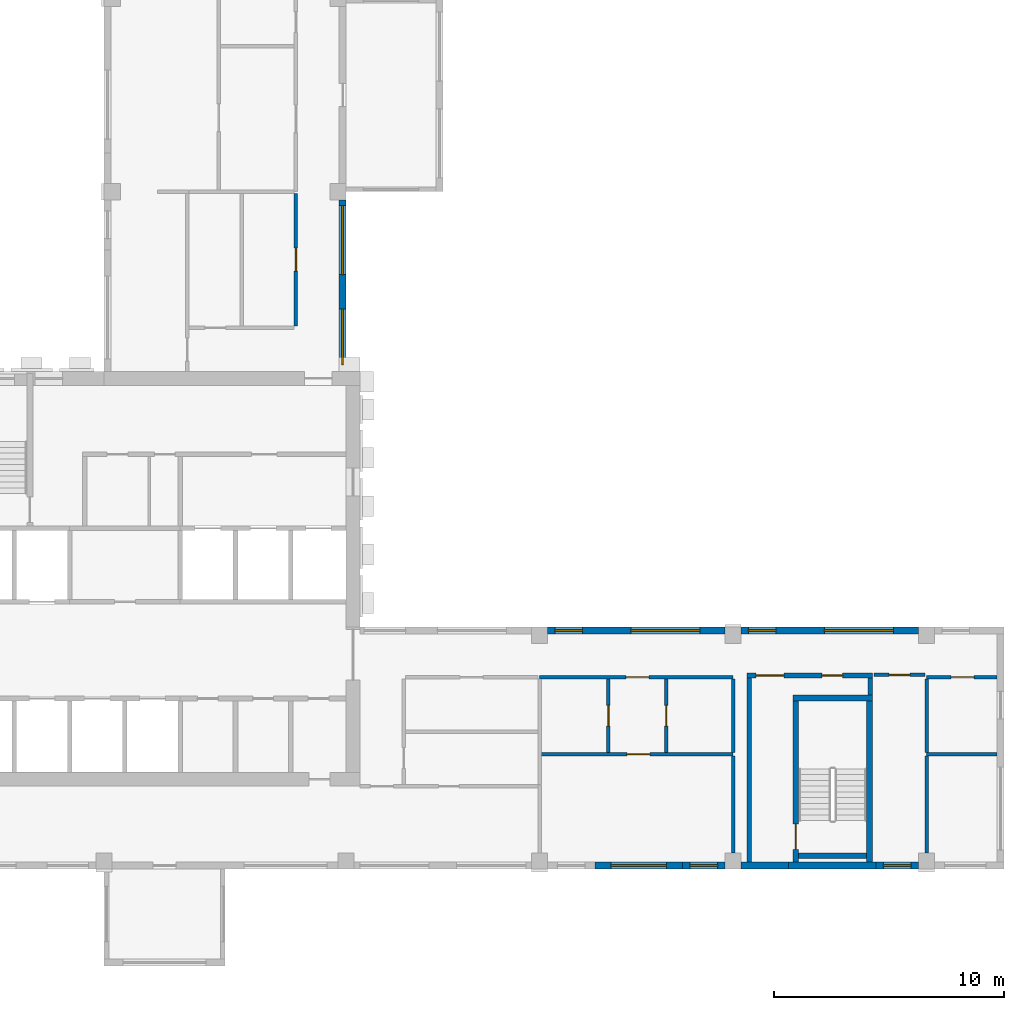
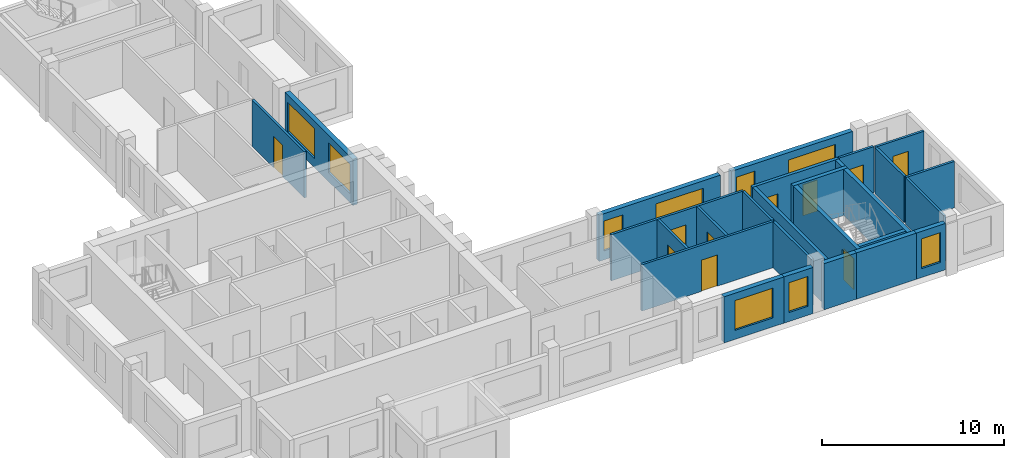
# One storey, part 4 of 10: 27 walls, 10 doors, 9 windows, 19 openings.
"""IFC4 building model written with IfcOpenShell, lengths in metres."""

from ifc_helpers import new_model, si_unit, direction, frame, frame_2d, origin, place, context, subcontext, project, spatial, rectangle, extrude, source, transform, mapped, material, layer, layer_set, type_object, element, fill, save


model = new_model("IFC4")

# Units and contexts
model_context = context("Model", 3, precision=1e-05, world=origin(), true_north=direction((0.0, 1.0)))
body_context = subcontext(model_context, "Body", "Model", "MODEL_VIEW")
ifc_project = project(units=[si_unit("LENGTHUNIT", "METRE"), si_unit("AREAUNIT", "SQUARE_METRE"), si_unit("VOLUMEUNIT", "CUBIC_METRE"), si_unit("PLANEANGLEUNIT", "RADIAN"), si_unit("MASSUNIT", "GRAM", prefix="KILO")], contexts=[model_context])

# Site, building, storey
site_placement = place(None, origin())
site = spatial("IfcSite", under=ifc_project, at=site_placement, CompositionType="ELEMENT")
building_placement = place(site_placement, origin())
building = spatial("IfcBuilding", under=site, at=building_placement, Name="Aurelian Terraces", CompositionType="ELEMENT")
storey_placement = place(building_placement, frame((0.0, 0.0, 288.0)))
storey = spatial("IfcBuildingStorey", under=building, at=storey_placement, Name="L65", CompositionType="ELEMENT", Elevation=288.0)

# Wall, openings, windows
ifc_material_1 = material(Name="Terracotta rainscreen cladding", Category="masonry")
ifc_layer_1 = layer(ifc_material_1, 0.3)
ifc_layer_set_1 = layer_set([ifc_layer_1], Name="EW-300")
wall_type_1 = type_object("IfcWallType", Name="EW-300", PredefinedType="STANDARD", material=ifc_layer_set_1)
shared_shape_1 = source(origin(), body_context, "Body", "SweptSolid", [
    extrude(rectangle(XDim=7.7, YDim=0.3, at=frame_2d((3.85, 0.0))), origin(), (0.0, 0.0, 1.0), 3.1),
])
wall_1_placement = place(storey_placement, frame((45.85, 10.35, 0.0), z_axis=(0.0, 0.0, 1.0), x_axis=(-1.0, 0.0, 0.0)))
wall_1 = element("IfcWall", 1, at=wall_1_placement, inside=storey, type_object=wall_type_1, Name="External wall L65 F03.8", PredefinedType="STANDARD", context=body_context, shape_type="MappedRepresentation", body=[
    mapped(shared_shape_1, transform((0.0, 0.0, 0.0), scale=1.0)),
])
shared_shape_2 = source(origin(), body_context, "Body", "SweptSolid", [
    extrude(rectangle(XDim=3.0, YDim=2.0, at=frame_2d((1.5, 1.0))), frame((0.0, 0.16, 0.0), z_axis=(0.0, -1.0, 0.0), x_axis=(1.0, 0.0, 0.0)), (0.0, 0.0, 1.0), 0.32),
])
opening_1_placement = place(wall_1_placement, frame((1.09, 0.0, 0.6)))
opening_1 = element("IfcOpeningElement", 2, at=opening_1_placement, cuts=wall_1, Name="Opening W3020", PredefinedType="OPENING", context=body_context, shape_type="MappedRepresentation", body=[
    mapped(shared_shape_2, transform((0.0, 0.0, 0.0), scale=1.0)),
])
shared_shape_3 = source(origin(), body_context, "Body", "SweptSolid", [
    extrude(rectangle(XDim=1.2, YDim=2.0, at=frame_2d((0.6, 1.0))), frame((0.0, 0.16, 0.0), z_axis=(0.0, -1.0, 0.0), x_axis=(1.0, 0.0, 0.0)), (0.0, 0.0, 1.0), 0.32),
])
opening_2_placement = place(wall_1_placement, frame((6.19, 0.0, 0.6)))
opening_2 = element("IfcOpeningElement", 3, at=opening_2_placement, cuts=wall_1, Name="Opening W1220", PredefinedType="OPENING", context=body_context, shape_type="MappedRepresentation", body=[
    mapped(shared_shape_3, transform((0.0, 0.0, 0.0), scale=1.0)),
])
ifc_material_2 = material(Name="Clear glazing", Category="glass")
window_type_1 = type_object("IfcWindowType", Name="W-3000x2000", PartitioningType="SINGLE_PANEL", PredefinedType="WINDOW", material=ifc_material_2)
shared_shape_4 = source(origin(), body_context, "Body", "SweptSolid", [
    extrude(rectangle(XDim=3.0, YDim=2.0, at=frame_2d((1.5, 1.0))), frame((0.0, 0.03, 0.0), z_axis=(0.0, -1.0, 0.0), x_axis=(1.0, 0.0, 0.0)), (0.0, 0.0, 1.0), 0.06),
])
window_1_placement = place(opening_1_placement, origin())
window_1 = element("IfcWindow", 4, at=window_1_placement, inside=storey, type_object=window_type_1, Name="Window L65 L65-F03-08-1", OverallHeight=2.0, OverallWidth=3.0, PartitioningType="SINGLE_PANEL", PredefinedType="WINDOW", context=body_context, shape_type="MappedRepresentation", body=[
    mapped(shared_shape_4, transform((0.0, 0.0, 0.0), scale=1.0)),
])
fill(opening_1, window_1)
window_type_2 = type_object("IfcWindowType", Name="W-1200x2000", PartitioningType="SINGLE_PANEL", PredefinedType="WINDOW", material=ifc_material_2)
shared_shape_5 = source(origin(), body_context, "Body", "SweptSolid", [
    extrude(rectangle(XDim=1.2, YDim=2.0, at=frame_2d((0.6, 1.0))), frame((0.0, 0.03, 0.0), z_axis=(0.0, -1.0, 0.0), x_axis=(1.0, 0.0, 0.0)), (0.0, 0.0, 1.0), 0.06),
])
window_2_placement = place(opening_2_placement, origin())
window_2 = element("IfcWindow", 5, at=window_2_placement, inside=storey, type_object=window_type_2, Name="Window L65 L65-F03-08-2", OverallHeight=2.0, OverallWidth=1.2, PartitioningType="SINGLE_PANEL", PredefinedType="WINDOW", context=body_context, shape_type="MappedRepresentation", body=[
    mapped(shared_shape_5, transform((0.0, 0.0, 0.0), scale=1.0)),
])
fill(opening_2, window_2)

wall_2_placement = place(storey_placement, frame((37.45, 10.35, 0.0), z_axis=(0.0, 0.0, 1.0), x_axis=(-1.0, 0.0, 0.0)))
wall_2 = element("IfcWall", 6, at=wall_2_placement, inside=storey, type_object=wall_type_1, Name="External wall L65 F03.8", PredefinedType="STANDARD", context=body_context, shape_type="MappedRepresentation", body=[
    mapped(shared_shape_1, transform((0.0, 0.0, 0.0), scale=1.0)),
])
opening_3_placement = place(wall_2_placement, frame((1.09, 0.0, 0.6)))
opening_3 = element("IfcOpeningElement", 7, at=opening_3_placement, cuts=wall_2, Name="Opening W3020", PredefinedType="OPENING", context=body_context, shape_type="MappedRepresentation", body=[
    mapped(shared_shape_2, transform((0.0, 0.0, 0.0), scale=1.0)),
])
opening_4_placement = place(wall_2_placement, frame((6.19, 0.0, 0.6)))
opening_4 = element("IfcOpeningElement", 8, at=opening_4_placement, cuts=wall_2, Name="Opening W1220", PredefinedType="OPENING", context=body_context, shape_type="MappedRepresentation", body=[
    mapped(shared_shape_3, transform((0.0, 0.0, 0.0), scale=1.0)),
])
window_3_placement = place(opening_3_placement, origin())
window_3 = element("IfcWindow", 9, at=window_3_placement, inside=storey, type_object=window_type_1, Name="Window L65 L65-F03-08-3", OverallHeight=2.0, OverallWidth=3.0, PartitioningType="SINGLE_PANEL", PredefinedType="WINDOW", context=body_context, shape_type="MappedRepresentation", body=[
    mapped(shared_shape_4, transform((0.0, 0.0, 0.0), scale=1.0)),
])
fill(opening_3, window_3)
window_4_placement = place(opening_4_placement, origin())
window_4 = element("IfcWindow", 10, at=window_4_placement, inside=storey, type_object=window_type_2, Name="Window L65 L65-F03-08-4", OverallHeight=2.0, OverallWidth=1.2, PartitioningType="SINGLE_PANEL", PredefinedType="WINDOW", context=body_context, shape_type="MappedRepresentation", body=[
    mapped(shared_shape_5, transform((0.0, 0.0, 0.0), scale=1.0)),
])
fill(opening_4, window_4)

shared_shape_6 = source(origin(), body_context, "Body", "SweptSolid", [
    extrude(rectangle(XDim=7.45, YDim=0.3, at=frame_2d((3.725, 0.0))), origin(), (0.0, 0.0, 1.0), 3.1),
])
wall_3_placement = place(storey_placement, frame((20.85, 21.6, 0.0), z_axis=(0.0, 0.0, 1.0), x_axis=(0.0, 1.0, 0.0)))
wall_3 = element("IfcWall", 11, at=wall_3_placement, inside=storey, type_object=wall_type_1, Name="External wall L65 F04.10", PredefinedType="STANDARD", context=body_context, shape_type="MappedRepresentation", body=[
    mapped(shared_shape_6, transform((0.0, 0.0, 0.0), scale=1.0)),
])
shared_shape_7 = source(origin(), body_context, "Body", "SweptSolid", [
    extrude(rectangle(XDim=2.4, YDim=2.0, at=frame_2d((1.2, 1.0))), frame((0.0, 0.16, 0.0), z_axis=(0.0, -1.0, 0.0), x_axis=(1.0, 0.0, 0.0)), (0.0, 0.0, 1.0), 0.32),
])
opening_5_placement = place(wall_3_placement, frame((0.3, 0.0, 0.6)))
opening_5 = element("IfcOpeningElement", 12, at=opening_5_placement, cuts=wall_3, Name="Opening W2420", PredefinedType="OPENING", context=body_context, shape_type="MappedRepresentation", body=[
    mapped(shared_shape_7, transform((0.0, 0.0, 0.0), scale=1.0)),
])
opening_6_placement = place(wall_3_placement, frame((4.2, 0.0, 0.6)))
opening_6 = element("IfcOpeningElement", 13, at=opening_6_placement, cuts=wall_3, Name="Opening W3020", PredefinedType="OPENING", context=body_context, shape_type="MappedRepresentation", body=[
    mapped(shared_shape_2, transform((0.0, 0.0, 0.0), scale=1.0)),
])
window_5_placement = place(opening_6_placement, origin())
window_5 = element("IfcWindow", 14, at=window_5_placement, inside=storey, type_object=window_type_1, Name="Window L65 L65-F04-10-1", OverallHeight=2.0, OverallWidth=3.0, PartitioningType="SINGLE_PANEL", PredefinedType="WINDOW", context=body_context, shape_type="MappedRepresentation", body=[
    mapped(shared_shape_4, transform((0.0, 0.0, 0.0), scale=1.0)),
])
fill(opening_6, window_5)
window_type_3 = type_object("IfcWindowType", Name="W-2400x2000", PartitioningType="SINGLE_PANEL", PredefinedType="WINDOW", material=ifc_material_2)
shared_shape_8 = source(origin(), body_context, "Body", "SweptSolid", [
    extrude(rectangle(XDim=2.4, YDim=2.0, at=frame_2d((1.2, 1.0))), frame((0.0, 0.03, 0.0), z_axis=(0.0, -1.0, 0.0), x_axis=(1.0, 0.0, 0.0)), (0.0, 0.0, 1.0), 0.06),
])
window_6_placement = place(opening_5_placement, origin())
window_6 = element("IfcWindow", 15, at=window_6_placement, inside=storey, type_object=window_type_3, Name="Window L65 L65-F04-10-0", OverallHeight=2.0, OverallWidth=2.4, PartitioningType="SINGLE_PANEL", PredefinedType="WINDOW", context=body_context, shape_type="MappedRepresentation", body=[
    mapped(shared_shape_8, transform((0.0, 0.0, 0.0), scale=1.0)),
])
fill(opening_5, window_6)

# Wall
shared_shape_9 = source(origin(), body_context, "Body", "SweptSolid", [
    extrude(rectangle(XDim=2.05, YDim=0.3, at=frame_2d((1.025, 0.0))), origin(), (0.0, 0.0, 1.0), 3.1),
])
wall_4_placement = place(storey_placement, frame((38.15, 0.15, 0.0), z_axis=(0.0, 0.0, 1.0), x_axis=(1.0, 0.0, 0.0)))
element("IfcWall", 16, at=wall_4_placement, inside=storey, type_object=wall_type_1, Name="External wall L65 F01.5", PredefinedType="STANDARD", context=body_context, shape_type="MappedRepresentation", body=[
    mapped(shared_shape_9, transform((0.0, 0.0, 0.0), scale=1.0)),
])

# Wall, opening, window
ifc_material_3 = material(Name="Concrete fc' 40 MPa", Category="concrete")
ifc_layer_2 = layer(ifc_material_3, 0.3)
ifc_layer_set_2 = layer_set([ifc_layer_2], Name="STAIR BAY WALL 300")
wall_type_2 = type_object("IfcWallType", Name="STAIR BAY WALL 300", PredefinedType="SOLIDWALL", material=ifc_layer_set_2)
shared_shape_10 = source(origin(), body_context, "Body", "SweptSolid", [
    extrude(rectangle(XDim=3.8, YDim=0.3, at=frame_2d((1.9, 0.0))), origin(), (0.0, 0.0, 1.0), 3.1),
])
wall_5_placement = place(storey_placement, frame((31.8, 0.15, 0.0), z_axis=(0.0, 0.0, 1.0), x_axis=(1.0, 0.0, 0.0)))
wall_5 = element("IfcWall", 17, at=wall_5_placement, inside=storey, type_object=wall_type_2, Name="Bearing wall L65 F01.4", PredefinedType="SOLIDWALL", context=body_context, shape_type="MappedRepresentation", body=[
    mapped(shared_shape_10, transform((0.0, 0.0, 0.0), scale=1.0)),
])
opening_7_placement = place(wall_5_placement, frame((0.7, 0.0, 0.6)))
opening_7 = element("IfcOpeningElement", 18, at=opening_7_placement, cuts=wall_5, Name="Opening W2420", PredefinedType="OPENING", context=body_context, shape_type="MappedRepresentation", body=[
    mapped(shared_shape_7, transform((0.0, 0.0, 0.0), scale=1.0)),
])
window_7_placement = place(opening_7_placement, origin())
window_7 = element("IfcWindow", 19, at=window_7_placement, inside=storey, type_object=window_type_3, Name="Window L65 L65-F01-04-P1", OverallHeight=2.0, OverallWidth=2.4, PartitioningType="SINGLE_PANEL", PredefinedType="WINDOW", context=body_context, shape_type="MappedRepresentation", body=[
    mapped(shared_shape_8, transform((0.0, 0.0, 0.0), scale=1.0)),
])
fill(opening_7, window_7)

# Wall
wall_6_placement = place(storey_placement, frame((40.2, 0.15, 0.0), z_axis=(0.0, 0.0, 1.0), x_axis=(1.0, 0.0, 0.0)))
element("IfcWall", 20, at=wall_6_placement, inside=storey, type_object=wall_type_2, Name="Stair bay wall L65 F01.5", PredefinedType="SOLIDWALL", context=body_context, shape_type="MappedRepresentation", body=[
    mapped(shared_shape_10, transform((0.0, 0.0, 0.0), scale=1.0)),
])

# Wall, opening, window
shared_shape_11 = source(origin(), body_context, "Body", "SweptSolid", [
    extrude(rectangle(XDim=1.85, YDim=0.3, at=frame_2d((0.925, 0.0))), origin(), (0.0, 0.0, 1.0), 3.1),
])
wall_7_placement = place(storey_placement, frame((35.6, 0.15, 0.0), z_axis=(0.0, 0.0, 1.0), x_axis=(1.0, 0.0, 0.0)))
wall_7 = element("IfcWall", 21, at=wall_7_placement, inside=storey, type_object=wall_type_1, Name="External wall L65 F01.4", PredefinedType="STANDARD", context=body_context, shape_type="MappedRepresentation", body=[
    mapped(shared_shape_11, transform((0.0, 0.0, 0.0), scale=1.0)),
])
opening_8_placement = place(wall_7_placement, frame((0.325, 0.0, 0.6)))
opening_8 = element("IfcOpeningElement", 22, at=opening_8_placement, cuts=wall_7, Name="Opening W1220", PredefinedType="OPENING", context=body_context, shape_type="MappedRepresentation", body=[
    mapped(shared_shape_3, transform((0.0, 0.0, 0.0), scale=1.0)),
])
window_8_placement = place(opening_8_placement, origin())
window_8 = element("IfcWindow", 23, at=window_8_placement, inside=storey, type_object=window_type_2, Name="Window L65 L65-F01-04-P2", OverallHeight=2.0, OverallWidth=1.2, PartitioningType="SINGLE_PANEL", PredefinedType="WINDOW", context=body_context, shape_type="MappedRepresentation", body=[
    mapped(shared_shape_5, transform((0.0, 0.0, 0.0), scale=1.0)),
])
fill(opening_8, window_8)

wall_8_placement = place(storey_placement, frame((44.0, 0.15, 0.0), z_axis=(0.0, 0.0, 1.0), x_axis=(1.0, 0.0, 0.0)))
wall_8 = element("IfcWall", 24, at=wall_8_placement, inside=storey, type_object=wall_type_1, Name="External wall L65 F01.5", PredefinedType="STANDARD", context=body_context, shape_type="MappedRepresentation", body=[
    mapped(shared_shape_11, transform((0.0, 0.0, 0.0), scale=1.0)),
])
opening_9_placement = place(wall_8_placement, frame((0.325, 0.0, 0.6)))
opening_9 = element("IfcOpeningElement", 25, at=opening_9_placement, cuts=wall_8, Name="Opening W1220", PredefinedType="OPENING", context=body_context, shape_type="MappedRepresentation", body=[
    mapped(shared_shape_3, transform((0.0, 0.0, 0.0), scale=1.0)),
])
window_9_placement = place(opening_9_placement, origin())
window_9 = element("IfcWindow", 26, at=window_9_placement, inside=storey, type_object=window_type_2, Name="Window L65 L65-F01-05-P2", OverallHeight=2.0, OverallWidth=1.2, PartitioningType="SINGLE_PANEL", PredefinedType="WINDOW", context=body_context, shape_type="MappedRepresentation", body=[
    mapped(shared_shape_5, transform((0.0, 0.0, 0.0), scale=1.0)),
])
fill(opening_9, window_9)

# Wall, opening, door
ifc_layer_3 = layer(ifc_material_3, 0.25)
ifc_layer_set_3 = layer_set([ifc_layer_3], Name="Stair enclosure wall 250")
wall_type_3 = type_object("IfcWallType", Name="Stair enclosure wall 250", PredefinedType="SOLIDWALL", material=ifc_layer_set_3)
shared_shape_12 = source(origin(), body_context, "Body", "SweptSolid", [
    extrude(rectangle(XDim=7.0, YDim=0.25, at=frame_2d((3.5, 0.0))), origin(), (0.0, 0.0, 1.0), 3.1),
])
wall_9_placement = place(storey_placement, frame((40.525, 0.3, 0.0), z_axis=(0.0, 0.0, 1.0), x_axis=(0.0, 1.0, 0.0)))
wall_9 = element("IfcWall", 27, at=wall_9_placement, inside=storey, type_object=wall_type_3, Name="L65 core wall ST-S2-W", PredefinedType="SOLIDWALL", context=body_context, shape_type="MappedRepresentation", body=[
    mapped(shared_shape_12, transform((0.0, 0.0, 0.0), scale=1.0)),
])
shared_shape_13 = source(origin(), body_context, "Body", "SweptSolid", [
    extrude(rectangle(XDim=1.1, YDim=2.1, at=frame_2d((0.55, 1.05))), frame((0.0, 0.135, 0.0), z_axis=(0.0, -1.0, 0.0), x_axis=(1.0, 0.0, 0.0)), (0.0, 0.0, 1.0), 0.27),
])
opening_10_placement = place(wall_9_placement, frame((0.55, 0.0, 0.0)))
opening_10 = element("IfcOpeningElement", 28, at=opening_10_placement, cuts=wall_9, Name="Opening 66817", PredefinedType="OPENING", context=body_context, shape_type="MappedRepresentation", body=[
    mapped(shared_shape_13, transform((0.0, 0.0, 0.0), scale=1.0)),
])
ifc_material_4 = material(Name="Steel door leaf", Category="steel")
door_type_1 = type_object("IfcDoorType", Name="Core fire door 1100x2100 right", OperationType="SINGLE_SWING_RIGHT", PredefinedType="DOOR", material=ifc_material_4)
shared_shape_14 = source(origin(), body_context, "Body", "SweptSolid", [
    extrude(rectangle(XDim=1.1, YDim=2.1, at=frame_2d((0.55, 1.05))), frame((0.0, 0.025, 0.0), z_axis=(0.0, -1.0, 0.0), x_axis=(1.0, 0.0, 0.0)), (0.0, 0.0, 1.0), 0.05),
])
door_1_placement = place(opening_10_placement, origin())
door_1 = element("IfcDoor", 29, at=door_1_placement, inside=storey, type_object=door_type_1, Name="Stair door 66817", OperationType="SINGLE_SWING_RIGHT", OverallHeight=2.1, OverallWidth=1.1, PredefinedType="DOOR", context=body_context, shape_type="MappedRepresentation", body=[
    mapped(shared_shape_14, transform((0.0, 0.0, 0.0), scale=1.0)),
])
fill(opening_10, door_1)

# Walls
wall_10_placement = place(storey_placement, frame((43.725, 0.3, 0.0), z_axis=(0.0, 0.0, 1.0), x_axis=(0.0, 1.0, 0.0)))
element("IfcWall", 30, at=wall_10_placement, inside=storey, type_object=wall_type_3, Name="L65 core wall ST-S2-E", PredefinedType="SOLIDWALL", context=body_context, shape_type="MappedRepresentation", body=[
    mapped(shared_shape_12, transform((0.0, 0.0, 0.0), scale=1.0)),
])
shared_shape_15 = source(origin(), body_context, "Body", "SweptSolid", [
    extrude(rectangle(XDim=3.45, YDim=0.25, at=frame_2d((1.725, 0.0))), origin(), (0.0, 0.0, 1.0), 3.1),
])
wall_11_placement = place(storey_placement, frame((40.4, 7.425, 0.0), z_axis=(0.0, 0.0, 1.0), x_axis=(1.0, 0.0, 0.0)))
element("IfcWall", 31, at=wall_11_placement, inside=storey, type_object=wall_type_3, Name="L65 core wall ST-S2-N", PredefinedType="SOLIDWALL", context=body_context, shape_type="MappedRepresentation", body=[
    mapped(shared_shape_15, transform((0.0, 0.0, 0.0), scale=1.0)),
])
ifc_material_5 = material(Name="Gypsum board on steel studs", Category="steel")
ifc_layer_4 = layer(ifc_material_5, 0.2)
ifc_layer_set_4 = layer_set([ifc_layer_4], Name="Core partition 200")
wall_type_4 = type_object("IfcWallType", Name="Core partition 200", PredefinedType="PARTITIONING", material=ifc_layer_set_4)
shared_shape_16 = source(origin(), body_context, "Body", "SweptSolid", [
    extrude(rectangle(XDim=8.0, YDim=0.2, at=frame_2d((4.0, 0.0))), origin(), (0.0, 0.0, 1.0), 3.1),
])
wall_12_placement = place(storey_placement, frame((38.5, 0.3, 0.0), z_axis=(0.0, 0.0, 1.0), x_axis=(0.0, 1.0, 0.0)))
element("IfcWall", 32, at=wall_12_placement, inside=storey, type_object=wall_type_4, Name="L65 core wall ST-S2-VW", PredefinedType="PARTITIONING", context=body_context, shape_type="MappedRepresentation", body=[
    mapped(shared_shape_16, transform((0.0, 0.0, 0.0), scale=1.0)),
])

# Wall, openings, doors
shared_shape_17 = source(origin(), body_context, "Body", "SweptSolid", [
    extrude(rectangle(XDim=5.45, YDim=0.2, at=frame_2d((2.725, 0.0))), origin(), (0.0, 0.0, 1.0), 3.1),
])
wall_13_placement = place(storey_placement, frame((38.4, 8.4, 0.0), z_axis=(0.0, 0.0, 1.0), x_axis=(1.0, 0.0, 0.0)))
wall_13 = element("IfcWall", 33, at=wall_13_placement, inside=storey, type_object=wall_type_4, Name="L65 core wall ST-S2-BN", PredefinedType="PARTITIONING", context=body_context, shape_type="MappedRepresentation", body=[
    mapped(shared_shape_17, transform((0.0, 0.0, 0.0), scale=1.0)),
])
shared_shape_18 = source(origin(), body_context, "Body", "SweptSolid", [
    extrude(rectangle(XDim=1.2, YDim=2.1, at=frame_2d((0.6, 1.05))), frame((0.0, 0.11, 0.0), z_axis=(0.0, -1.0, 0.0), x_axis=(1.0, 0.0, 0.0)), (0.0, 0.0, 1.0), 0.22),
])
opening_11_placement = place(wall_13_placement, frame((0.4, 0.0, 0.0)))
opening_11 = element("IfcOpeningElement", 34, at=opening_11_placement, cuts=wall_13, Name="Opening 66818", PredefinedType="OPENING", context=body_context, shape_type="MappedRepresentation", body=[
    mapped(shared_shape_18, transform((0.0, 0.0, 0.0), scale=1.0)),
])
shared_shape_19 = source(origin(), body_context, "Body", "SweptSolid", [
    extrude(rectangle(XDim=0.9, YDim=2.1, at=frame_2d((0.45, 1.05))), frame((0.0, 0.11, 0.0), z_axis=(0.0, -1.0, 0.0), x_axis=(1.0, 0.0, 0.0)), (0.0, 0.0, 1.0), 0.22),
])
opening_12_placement = place(wall_13_placement, frame((3.25, 0.0, 0.0)))
opening_12 = element("IfcOpeningElement", 35, at=opening_12_placement, cuts=wall_13, Name="Opening 66819", PredefinedType="OPENING", context=body_context, shape_type="MappedRepresentation", body=[
    mapped(shared_shape_19, transform((0.0, 0.0, 0.0), scale=1.0)),
])
door_type_2 = type_object("IfcDoorType", Name="Core riser door 900x2100 right", OperationType="SINGLE_SWING_RIGHT", PredefinedType="DOOR", material=ifc_material_4)
shared_shape_20 = source(origin(), body_context, "Body", "SweptSolid", [
    extrude(rectangle(XDim=0.9, YDim=2.1, at=frame_2d((0.45, 1.05))), frame((0.0, 0.025, 0.0), z_axis=(0.0, -1.0, 0.0), x_axis=(1.0, 0.0, 0.0)), (0.0, 0.0, 1.0), 0.05),
])
door_2_placement = place(opening_12_placement, origin())
door_2 = element("IfcDoor", 36, at=door_2_placement, inside=storey, type_object=door_type_2, Name="Riser door 66819", OperationType="SINGLE_SWING_RIGHT", OverallHeight=2.1, OverallWidth=0.9, PredefinedType="DOOR", context=body_context, shape_type="MappedRepresentation", body=[
    mapped(shared_shape_20, transform((0.0, 0.0, 0.0), scale=1.0)),
])
fill(opening_12, door_2)
door_type_3 = type_object("IfcDoorType", Name="Core fire door 1200x2100", OperationType="SINGLE_SWING_LEFT", PredefinedType="DOOR", material=ifc_material_4)
shared_shape_21 = source(origin(), body_context, "Body", "SweptSolid", [
    extrude(rectangle(XDim=1.2, YDim=2.1, at=frame_2d((0.6, 1.05))), frame((0.0, 0.025, 0.0), z_axis=(0.0, -1.0, 0.0), x_axis=(1.0, 0.0, 0.0)), (0.0, 0.0, 1.0), 0.05),
])
door_3_placement = place(opening_11_placement, origin())
door_3 = element("IfcDoor", 37, at=door_3_placement, inside=storey, type_object=door_type_3, Name="Vestibule door 66818", OperationType="SINGLE_SWING_LEFT", OverallHeight=2.1, OverallWidth=1.2, PredefinedType="DOOR", context=body_context, shape_type="MappedRepresentation", body=[
    mapped(shared_shape_21, transform((0.0, 0.0, 0.0), scale=1.0)),
])
fill(opening_11, door_3)

# Walls
shared_shape_22 = source(origin(), body_context, "Body", "SweptSolid", [
    extrude(rectangle(XDim=0.75, YDim=0.2, at=frame_2d((0.375, 0.0))), origin(), (0.0, 0.0, 1.0), 3.1),
])
wall_14_placement = place(storey_placement, frame((43.75, 7.55, 0.0), z_axis=(0.0, 0.0, 1.0), x_axis=(0.0, 1.0, 0.0)))
element("IfcWall", 38, at=wall_14_placement, inside=storey, type_object=wall_type_4, Name="L65 core wall ST-S2-RE", PredefinedType="PARTITIONING", context=body_context, shape_type="MappedRepresentation", body=[
    mapped(shared_shape_22, transform((0.0, 0.0, 0.0), scale=1.0)),
])
shared_shape_23 = source(origin(), body_context, "Body", "SweptSolid", [
    extrude(rectangle(XDim=2.95, YDim=0.25, at=frame_2d((1.475, 0.0))), origin(), (0.0, 0.0, 1.0), 3.1),
])
wall_15_placement = place(storey_placement, frame((40.65, 0.575, 0.0), z_axis=(0.0, 0.0, 1.0), x_axis=(1.0, 0.0, 0.0)))
element("IfcWall", 39, at=wall_15_placement, inside=storey, type_object=wall_type_3, Name="L65 core wall ST-S2-SS", PredefinedType="SOLIDWALL", context=body_context, shape_type="MappedRepresentation", body=[
    mapped(shared_shape_23, transform((0.0, 0.0, 0.0), scale=1.0)),
])

# Wall, opening, door
ifc_layer_5 = layer(ifc_material_5, 0.15)
ifc_layer_set_5 = layer_set([ifc_layer_5], Name="Fire partition 150")
wall_type_5 = type_object("IfcWallType", Name="Fire partition 150", PredefinedType="PARTITIONING", material=ifc_layer_set_5)
shared_shape_24 = source(origin(), body_context, "Body", "SweptSolid", [
    extrude(rectangle(XDim=5.75, YDim=0.15, at=frame_2d((2.875, 0.0))), origin(), (0.0, 0.0, 1.0), 3.1),
])
wall_16_placement = place(storey_placement, frame((18.825, 23.575, 0.0), z_axis=(0.0, 0.0, 1.0), x_axis=(0.0, 1.0, 0.0)))
wall_16 = element("IfcWall", 40, at=wall_16_placement, inside=storey, type_object=wall_type_5, Name="Corridor wall", PredefinedType="PARTITIONING", context=body_context, shape_type="MappedRepresentation", body=[
    mapped(shared_shape_24, transform((0.0, 0.0, 0.0), scale=1.0)),
])
shared_shape_25 = source(origin(), body_context, "Body", "SweptSolid", [
    extrude(rectangle(XDim=1.0, YDim=2.1, at=frame_2d((0.5, 1.05))), frame((0.0, 0.085, 0.0), z_axis=(0.0, -1.0, 0.0), x_axis=(1.0, 0.0, 0.0)), (0.0, 0.0, 1.0), 0.17),
])
opening_13_placement = place(wall_16_placement, frame((2.375, 0.0, 0.0)))
opening_13 = element("IfcOpeningElement", 41, at=opening_13_placement, cuts=wall_16, Name="Opening 765010", PredefinedType="OPENING", context=body_context, shape_type="MappedRepresentation", body=[
    mapped(shared_shape_25, transform((0.0, 0.0, 0.0), scale=1.0)),
])
door_type_4 = type_object("IfcDoorType", Name="Entrance fire door 1000x2100 right", OperationType="SINGLE_SWING_RIGHT", PredefinedType="DOOR", material=ifc_material_4)
shared_shape_26 = source(origin(), body_context, "Body", "SweptSolid", [
    extrude(rectangle(XDim=1.0, YDim=2.1, at=frame_2d((0.5, 1.05))), frame((0.0, 0.025, 0.0), z_axis=(0.0, -1.0, 0.0), x_axis=(1.0, 0.0, 0.0)), (0.0, 0.0, 1.0), 0.05),
])
door_4_placement = place(opening_13_placement, origin())
door_4 = element("IfcDoor", 42, at=door_4_placement, inside=storey, type_object=door_type_4, Name="Door 765010", OperationType="SINGLE_SWING_RIGHT", OverallHeight=2.1, OverallWidth=1.0, PredefinedType="DOOR", context=body_context, shape_type="MappedRepresentation", body=[
    mapped(shared_shape_26, transform((0.0, 0.0, 0.0), scale=1.0)),
])
fill(opening_13, door_4)

ifc_layer_6 = layer(ifc_material_5, 0.15)
ifc_layer_set_6 = layer_set([ifc_layer_6], Name="Partition 150")
wall_type_6 = type_object("IfcWallType", Name="Partition 150", PredefinedType="PARTITIONING", material=ifc_layer_set_6)
shared_shape_27 = source(origin(), body_context, "Body", "SweptSolid", [
    extrude(rectangle(XDim=3.2, YDim=0.15, at=frame_2d((1.6, 0.0))), origin(), (0.0, 0.0, 1.0), 3.1),
])
wall_17_placement = place(storey_placement, frame((32.3889, 5.05, 0.0), z_axis=(0.0, 0.0, 1.0), x_axis=(0.0, 1.0, 0.0)))
wall_17 = element("IfcWall", 43, at=wall_17_placement, inside=storey, type_object=wall_type_6, Name="Partition", PredefinedType="PARTITIONING", context=body_context, shape_type="MappedRepresentation", body=[
    mapped(shared_shape_27, transform((0.0, 0.0, 0.0), scale=1.0)),
])
shared_shape_28 = source(origin(), body_context, "Body", "SweptSolid", [
    extrude(rectangle(XDim=0.9, YDim=2.1, at=frame_2d((0.45, 1.05))), frame((0.0, 0.085, 0.0), z_axis=(0.0, -1.0, 0.0), x_axis=(1.0, 0.0, 0.0)), (0.0, 0.0, 1.0), 0.17),
])
opening_14_placement = place(wall_17_placement, frame((1.15, 0.0, 0.0)))
opening_14 = element("IfcOpeningElement", 44, at=opening_14_placement, cuts=wall_17, Name="Opening 765007", PredefinedType="OPENING", context=body_context, shape_type="MappedRepresentation", body=[
    mapped(shared_shape_28, transform((0.0, 0.0, 0.0), scale=1.0)),
])
ifc_material_6 = material(Name="Timber door leaf", Category="wood")
door_type_5 = type_object("IfcDoorType", Name="Room door 900x2100 right", OperationType="SINGLE_SWING_RIGHT", PredefinedType="DOOR", material=ifc_material_6)
door_5_placement = place(opening_14_placement, origin())
door_5 = element("IfcDoor", 45, at=door_5_placement, inside=storey, type_object=door_type_5, Name="Door 765007", OperationType="SINGLE_SWING_RIGHT", OverallHeight=2.1, OverallWidth=0.9, PredefinedType="DOOR", context=body_context, shape_type="MappedRepresentation", body=[
    mapped(shared_shape_20, transform((0.0, 0.0, 0.0), scale=1.0)),
])
fill(opening_14, door_5)

wall_18_placement = place(storey_placement, frame((34.8952, 5.05, 0.0), z_axis=(0.0, 0.0, 1.0), x_axis=(0.0, 1.0, 0.0)))
wall_18 = element("IfcWall", 46, at=wall_18_placement, inside=storey, type_object=wall_type_6, Name="Partition", PredefinedType="PARTITIONING", context=body_context, shape_type="MappedRepresentation", body=[
    mapped(shared_shape_27, transform((0.0, 0.0, 0.0), scale=1.0)),
])
opening_15_placement = place(wall_18_placement, frame((1.15, 0.0, 0.0)))
opening_15 = element("IfcOpeningElement", 47, at=opening_15_placement, cuts=wall_18, Name="Opening 765008", PredefinedType="OPENING", context=body_context, shape_type="MappedRepresentation", body=[
    mapped(shared_shape_28, transform((0.0, 0.0, 0.0), scale=1.0)),
])
door_type_6 = type_object("IfcDoorType", Name="Room door 900x2100 left", OperationType="SINGLE_SWING_LEFT", PredefinedType="DOOR", material=ifc_material_6)
door_6_placement = place(opening_15_placement, origin())
door_6 = element("IfcDoor", 48, at=door_6_placement, inside=storey, type_object=door_type_6, Name="Door 765008", OperationType="SINGLE_SWING_LEFT", OverallHeight=2.1, OverallWidth=0.9, PredefinedType="DOOR", context=body_context, shape_type="MappedRepresentation", body=[
    mapped(shared_shape_20, transform((0.0, 0.0, 0.0), scale=1.0)),
])
fill(opening_15, door_6)

# Walls
for number, where, z_axis, x_axis, name in (
    (49, (37.8, 5.05, 0.0), (0.0, 0.0, 1.0), (0.0, 1.0, 0.0), "Party wall"),
    (50, (46.2, 5.05, 0.0), (0.0, 0.0, 1.0), (0.0, 1.0, 0.0), "Party wall"),
):
    element("IfcWall", number, at=place(storey_placement, frame(where, z_axis=z_axis, x_axis=x_axis)), inside=storey, type_object=wall_type_5, Name=name, PredefinedType="PARTITIONING", context=body_context, shape_type="MappedRepresentation", body=[
        mapped(shared_shape_27, transform((0.0, 0.0, 0.0), scale=1.0)),
    ])
shared_shape_29 = source(origin(), body_context, "Body", "SweptSolid", [
    extrude(rectangle(XDim=4.201, YDim=0.15, at=frame_2d((2.1005, 0.0))), origin(), (0.0, 0.0, 1.0), 3.1),
])
for number, where, z_axis, x_axis, name in (
    (51, (37.8, 0.699, 0.0), (0.0, 0.0, 1.0), (0.0, 1.0, 0.0), "Party wall"),
    (52, (46.2, 0.699, 0.0), (0.0, 0.0, 1.0), (0.0, 1.0, 0.0), "Party wall"),
):
    element("IfcWall", number, at=place(storey_placement, frame(where, z_axis=z_axis, x_axis=x_axis)), inside=storey, type_object=wall_type_5, Name=name, PredefinedType="PARTITIONING", context=body_context, shape_type="MappedRepresentation", body=[
        mapped(shared_shape_29, transform((0.0, 0.0, 0.0), scale=1.0)),
    ])

# Wall, opening, door
shared_shape_30 = source(origin(), body_context, "Body", "SweptSolid", [
    extrude(rectangle(XDim=8.4, YDim=0.15, at=frame_2d((4.2, 0.0))), origin(), (0.0, 0.0, 1.0), 3.1),
])
wall_19_placement = place(storey_placement, frame((37.8, 4.975, 0.0), z_axis=(0.0, 0.0, 1.0), x_axis=(-1.0, 0.0, 0.0)))
wall_19 = element("IfcWall", 53, at=wall_19_placement, inside=storey, type_object=wall_type_6, Name="Partition", PredefinedType="PARTITIONING", context=body_context, shape_type="MappedRepresentation", body=[
    mapped(shared_shape_30, transform((0.0, 0.0, 0.0), scale=1.0)),
])
opening_16_placement = place(wall_19_placement, frame((3.608, 0.0, 0.0)))
opening_16 = element("IfcOpeningElement", 54, at=opening_16_placement, cuts=wall_19, Name="Opening 765006", PredefinedType="OPENING", context=body_context, shape_type="MappedRepresentation", body=[
    mapped(shared_shape_25, transform((0.0, 0.0, 0.0), scale=1.0)),
])
door_type_7 = type_object("IfcDoorType", Name="Room door 1000x2100 left", OperationType="SINGLE_SWING_LEFT", PredefinedType="DOOR", material=ifc_material_6)
door_7_placement = place(opening_16_placement, origin())
door_7 = element("IfcDoor", 55, at=door_7_placement, inside=storey, type_object=door_type_7, Name="Door 765006", OperationType="SINGLE_SWING_LEFT", OverallHeight=2.1, OverallWidth=1.0, PredefinedType="DOOR", context=body_context, shape_type="MappedRepresentation", body=[
    mapped(shared_shape_26, transform((0.0, 0.0, 0.0), scale=1.0)),
])
fill(opening_16, door_7)

wall_20_placement = place(storey_placement, frame((37.8, 8.325, 0.0), z_axis=(0.0, 0.0, 1.0), x_axis=(-1.0, 0.0, 0.0)))
wall_20 = element("IfcWall", 56, at=wall_20_placement, inside=storey, type_object=wall_type_5, Name="Corridor wall", PredefinedType="PARTITIONING", context=body_context, shape_type="MappedRepresentation", body=[
    mapped(shared_shape_30, transform((0.0, 0.0, 0.0), scale=1.0)),
])
opening_17_placement = place(wall_20_placement, frame((3.658, 0.0, 0.0)))
opening_17 = element("IfcOpeningElement", 57, at=opening_17_placement, cuts=wall_20, Name="Opening 765005", PredefinedType="OPENING", context=body_context, shape_type="MappedRepresentation", body=[
    mapped(shared_shape_25, transform((0.0, 0.0, 0.0), scale=1.0)),
])
door_8_placement = place(opening_17_placement, origin())
door_8 = element("IfcDoor", 58, at=door_8_placement, inside=storey, type_object=door_type_4, Name="Door 765005", OperationType="SINGLE_SWING_RIGHT", OverallHeight=2.1, OverallWidth=1.0, PredefinedType="DOOR", context=body_context, shape_type="MappedRepresentation", body=[
    mapped(shared_shape_26, transform((0.0, 0.0, 0.0), scale=1.0)),
])
fill(opening_17, door_8)

# Wall
shared_shape_31 = source(origin(), body_context, "Body", "SweptSolid", [
    extrude(rectangle(XDim=3.06, YDim=0.15, at=frame_2d((1.53, 0.0))), origin(), (0.0, 0.0, 1.0), 3.1),
])
wall_21_placement = place(storey_placement, frame((49.26, 4.975, 0.0), z_axis=(0.0, 0.0, 1.0), x_axis=(-1.0, 0.0, 0.0)))
element("IfcWall", 59, at=wall_21_placement, inside=storey, type_object=wall_type_6, Name="Partition", PredefinedType="PARTITIONING", context=body_context, shape_type="MappedRepresentation", body=[
    mapped(shared_shape_31, transform((0.0, 0.0, 0.0), scale=1.0)),
])

# Wall, opening, door
wall_22_placement = place(storey_placement, frame((49.26, 8.325, 0.0), z_axis=(0.0, 0.0, 1.0), x_axis=(-1.0, 0.0, 0.0)))
wall_22 = element("IfcWall", 60, at=wall_22_placement, inside=storey, type_object=wall_type_5, Name="Corridor wall", PredefinedType="PARTITIONING", context=body_context, shape_type="MappedRepresentation", body=[
    mapped(shared_shape_31, transform((0.0, 0.0, 0.0), scale=1.0)),
])
opening_18_placement = place(wall_22_placement, frame((0.9925, 0.0, 0.0)))
opening_18 = element("IfcOpeningElement", 61, at=opening_18_placement, cuts=wall_22, Name="Opening 765009", PredefinedType="OPENING", context=body_context, shape_type="MappedRepresentation", body=[
    mapped(shared_shape_25, transform((0.0, 0.0, 0.0), scale=1.0)),
])
door_9_placement = place(opening_18_placement, origin())
door_9 = element("IfcDoor", 62, at=door_9_placement, inside=storey, type_object=door_type_4, Name="Door 765009", OperationType="SINGLE_SWING_RIGHT", OverallHeight=2.1, OverallWidth=1.0, PredefinedType="DOOR", context=body_context, shape_type="MappedRepresentation", body=[
    mapped(shared_shape_26, transform((0.0, 0.0, 0.0), scale=1.0)),
])
fill(opening_18, door_9)

shared_shape_32 = source(origin(), body_context, "Body", "SweptSolid", [
    extrude(rectangle(XDim=2.2, YDim=0.15, at=frame_2d((1.1, 0.0))), origin(), (0.0, 0.0, 1.0), 3.1),
])
wall_23_placement = place(storey_placement, frame((46.125, 8.425, 0.0), z_axis=(0.0, 0.0, 1.0), x_axis=(-1.0, 0.0, 0.0)))
wall_23 = element("IfcWall", 63, at=wall_23_placement, inside=storey, type_object=wall_type_6, Name="Partition", PredefinedType="PARTITIONING", context=body_context, shape_type="MappedRepresentation", body=[
    mapped(shared_shape_32, transform((0.0, 0.0, 0.0), scale=1.0)),
])
opening_19_placement = place(wall_23_placement, frame((0.65, 0.0, 0.0)))
opening_19 = element("IfcOpeningElement", 64, at=opening_19_placement, cuts=wall_23, Name="Opening 765004", PredefinedType="OPENING", context=body_context, shape_type="MappedRepresentation", body=[
    mapped(shared_shape_28, transform((0.0, 0.0, 0.0), scale=1.0)),
])
door_10_placement = place(opening_19_placement, origin())
door_10 = element("IfcDoor", 65, at=door_10_placement, inside=storey, type_object=door_type_6, Name="Door 765004", OperationType="SINGLE_SWING_LEFT", OverallHeight=2.1, OverallWidth=0.9, PredefinedType="DOOR", context=body_context, shape_type="MappedRepresentation", body=[
    mapped(shared_shape_20, transform((0.0, 0.0, 0.0), scale=1.0)),
])
fill(opening_19, door_10)

save(model, "model.ifc")
